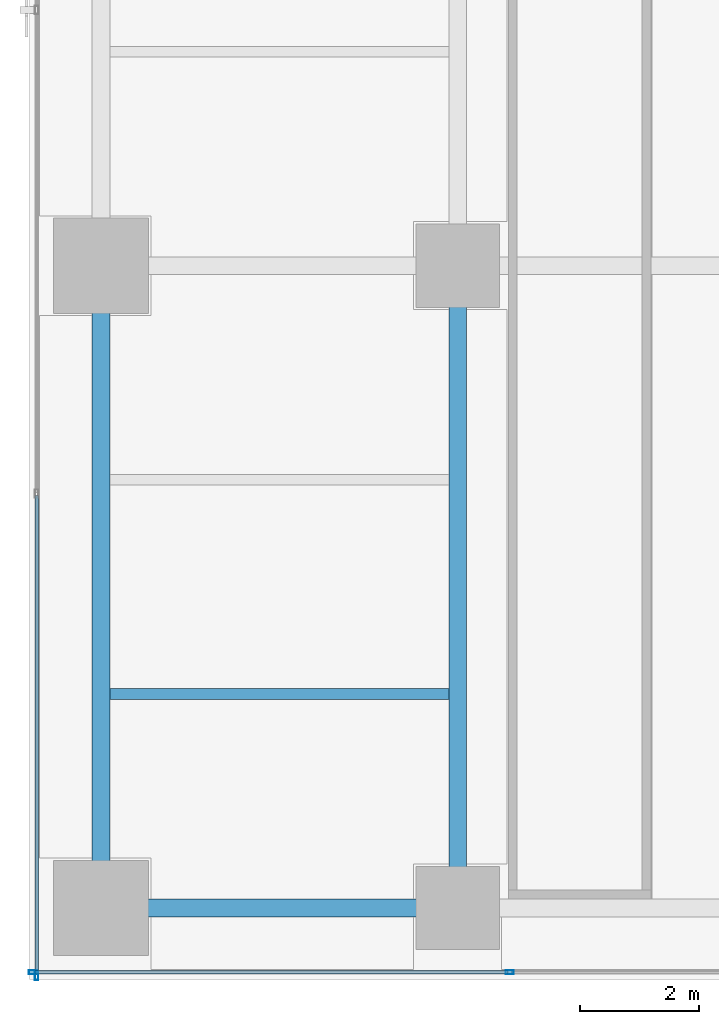
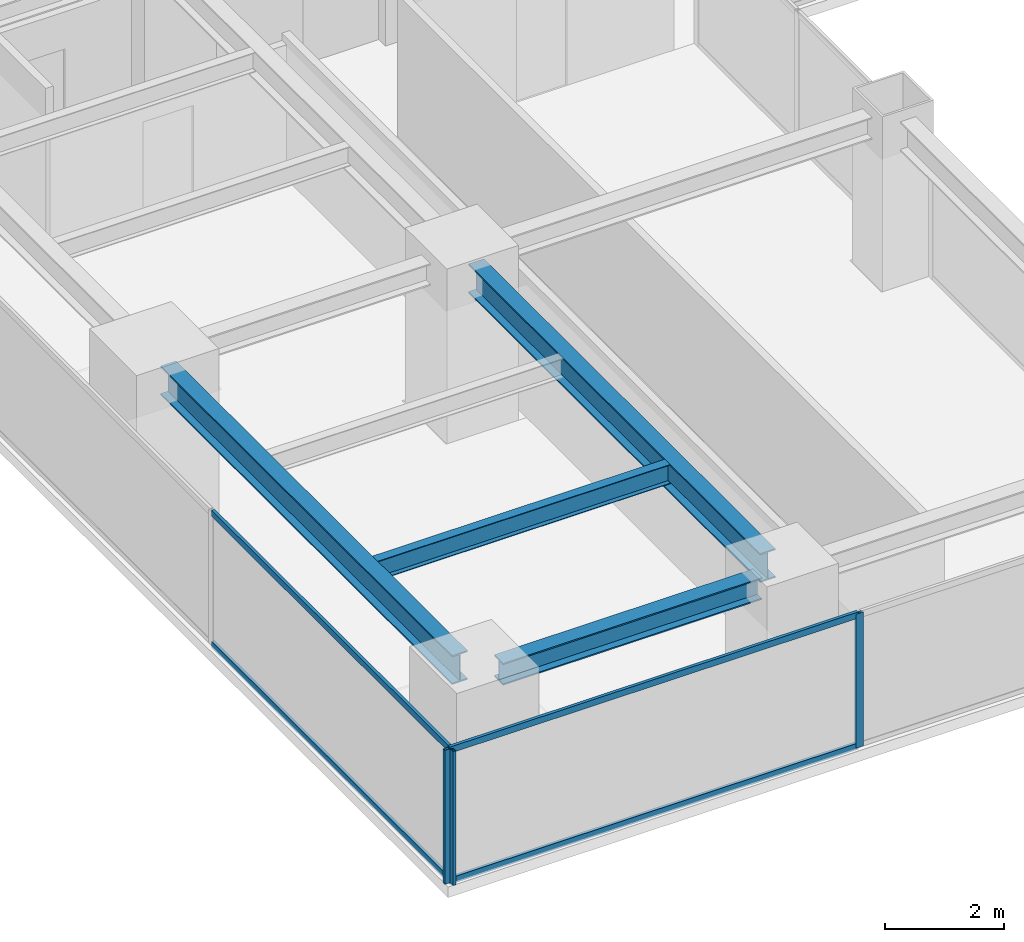
# One storey, part 2 of 28: 7 members, 4 beams, 2 elements without a shape of their own.
"""IFC4 building model written with IfcOpenShell, lengths in metres."""

from ifc_helpers import new_model, si_unit, direction, frame, origin, origin_2d, place, context, subcontext, project, spatial, hollow_rectangle, i_section, extrude, source, transform, mapped, material, layer, layer_set, material_profile, profile_set, type_object, element, aggregate, save


model = new_model("IFC4")

# Units and contexts
model_context = context("Model", 3, precision=1e-05, world=origin(), true_north=direction((0.0, 1.0)))
body_context = subcontext(model_context, "Body", "Model", "MODEL_VIEW")
ifc_project = project(units=[si_unit("LENGTHUNIT", "METRE"), si_unit("AREAUNIT", "SQUARE_METRE"), si_unit("VOLUMEUNIT", "CUBIC_METRE"), si_unit("PLANEANGLEUNIT", "RADIAN"), si_unit("MASSUNIT", "GRAM", prefix="KILO")], contexts=[model_context])

# Site, building, storey
site_placement = place(None, origin())
site = spatial("IfcSite", under=ifc_project, at=site_placement, CompositionType="ELEMENT")
building_placement = place(site_placement, origin())
building = spatial("IfcBuilding", under=site, at=building_placement, Name="Sumidabori Civic Tower", CompositionType="ELEMENT")
storey_placement = place(building_placement, frame((0.0, 0.0, 210.800048828125)))
storey = spatial("IfcBuildingStorey", under=building, at=storey_placement, Name="L54", CompositionType="ELEMENT", Elevation=210.800048828125)

# Beams
ifc_material_1 = material(Name="Steel SN490", Category="steel")
ifc_material_profile_1 = material_profile(ifc_material_1, i_section(OverallWidth=0.300048828125, OverallDepth=0.60009765625, WebThickness=0.015380859375, FlangeThickness=0.030029296875, at=origin_2d()), Name="HE 600 B")
ifc_profile_set_1 = profile_set([ifc_material_profile_1], Name="Steel SN490")
beam_type_1 = type_object("IfcBeamType", Name="BM-GIRD-600", PredefinedType="BEAM", material=ifc_profile_set_1)
shared_shape_1 = source(origin(), body_context, "Body", "SweptSolid", [
    extrude(i_section(OverallWidth=0.300048828125, OverallDepth=0.60009765625, WebThickness=0.015380859375, FlangeThickness=0.030029296875, at=origin_2d()), origin(), (0.0, 0.0, 1.0), 9.840087890625),
])
for number, where, z_axis, x_axis, name in (
    (1, (-22.800048828125, -10.320068359375, 3.079833984375), (0.0, 1.0, 0.0), (-1.0, 0.0, 0.0), "Primary Girder L54 GY-11"),
    (2, (-16.800048828125, -10.320068359375, 3.079833984375), (0.0, 1.0, 0.0), (-1.0, 0.0, 0.0), "Primary Girder L54 GY-14"),
):
    element("IfcBeam", number, at=place(storey_placement, frame(where, z_axis=z_axis, x_axis=x_axis)), inside=storey, type_object=beam_type_1, Name=name, PredefinedType="BEAM", context=body_context, shape_type="MappedRepresentation", body=[
        mapped(shared_shape_1, transform((0.0, 0.0, 0.0), x_axis=(1.0, 0.0, 0.0), y_axis=(0.0, 1.0, 0.0), z_axis=(0.0, 0.0, 1.0), scale=1.0)),
    ])
ifc_material_profile_2 = material_profile(ifc_material_1, i_section(OverallWidth=0.179931640625, OverallDepth=0.39990234375, WebThickness=0.008544921875, FlangeThickness=0.013427734375, at=origin_2d()), Name="IPE 400")
ifc_profile_set_2 = profile_set([ifc_material_profile_2], Name="Steel SN490")
beam_type_2 = type_object("IfcBeamType", Name="BM-JST-400", PredefinedType="JOIST", material=ifc_profile_set_2)
shared_shape_2 = source(origin(), body_context, "Body", "SweptSolid", [
    extrude(i_section(OverallWidth=0.179931640625, OverallDepth=0.39990234375, WebThickness=0.008544921875, FlangeThickness=0.013427734375, at=origin_2d()), origin(), (0.0, 0.0, 1.0), 5.699951171875),
])
beam_1_placement = place(storey_placement, frame((-22.64990234375, -7.199951171875, 3.179931640625), z_axis=(1.0, 0.0, 0.0), x_axis=(0.0, 1.0, 0.0)))
element("IfcBeam", 3, at=beam_1_placement, inside=storey, type_object=beam_type_2, Name="Outer Bay Floor Joist L54 JSTO-25", PredefinedType="JOIST", context=body_context, shape_type="MappedRepresentation", body=[
    mapped(shared_shape_2, transform((0.0, 0.0, 0.0), x_axis=(1.0, 0.0, 0.0), y_axis=(0.0, 1.0, 0.0), z_axis=(0.0, 0.0, 1.0), scale=1.0)),
])
ifc_material_profile_3 = material_profile(ifc_material_1, i_section(OverallWidth=0.300048828125, OverallDepth=0.449951171875, WebThickness=0.013916015625, FlangeThickness=0.02587890625, at=origin_2d()), Name="HE 450 B")
ifc_profile_set_3 = profile_set([ifc_material_profile_3], Name="Steel SN490")
beam_type_3 = type_object("IfcBeamType", Name="BM-GIRD-450", PredefinedType="BEAM", material=ifc_profile_set_3)
shared_shape_3 = source(origin(), body_context, "Body", "SweptSolid", [
    extrude(i_section(OverallWidth=0.300048828125, OverallDepth=0.449951171875, WebThickness=0.013916015625, FlangeThickness=0.02587890625, at=origin_2d()), origin(), (0.0, 0.0, 1.0), 5.0400390625),
])
beam_2_placement = place(storey_placement, frame((-22.320068359375, -10.800048828125, 3.155029296875), z_axis=(1.0, 0.0, 0.0), x_axis=(0.0, 1.0, 0.0)))
element("IfcBeam", 4, at=beam_2_placement, inside=storey, type_object=beam_type_3, Name="Primary Girder L54 GX-01", PredefinedType="BEAM", context=body_context, shape_type="MappedRepresentation", body=[
    mapped(shared_shape_3, transform((0.0, 0.0, 0.0), x_axis=(1.0, 0.0, 0.0), y_axis=(0.0, 1.0, 0.0), z_axis=(0.0, 0.0, 1.0), scale=1.0)),
])

# Curtain wall, members
ifc_material_2 = material(Name="Anodised Bronze Aluminium AW-6063-T6", Category="aluminium")
ifc_layer = layer(ifc_material_2, 0.179931640625, Name="Anodised Bronze Aluminium AW-6063-T6")
ifc_layer_set = layer_set([ifc_layer], Name="Anodised Bronze Aluminium AW-6063-T6")
curtain_wall_type = type_object("IfcCurtainWallType", Name="CW-SYS-5", PredefinedType="NOTDEFINED", material=ifc_layer_set)
curtain_wall_1_placement = place(storey_placement, origin())
curtain_wall_1 = element("IfcCurtainWall", 5, at=curtain_wall_1_placement, inside=storey, type_object=curtain_wall_type, Name="Curtain Wall CW:L54:R01", PredefinedType="NOTDEFINED")
ifc_material_profile_4 = material_profile(ifc_material_2, hollow_rectangle(XDim=0.06005859375, YDim=0.139892578125, WallThickness=0.0048828125, at=origin_2d()), Name="ALU MULLION 140x60")
ifc_profile_set_4 = profile_set([ifc_material_profile_4], Name="Anodised Bronze Aluminium AW-6063-T6")
member_type_1 = type_object("IfcMemberType", Name="CW-MUL-140", PredefinedType="MULLION", material=ifc_profile_set_4)
shared_shape_4 = source(origin(), body_context, "Body", "SweptSolid", [
    extrude(hollow_rectangle(XDim=0.06005859375, YDim=0.139892578125, WallThickness=0.0048828125, at=origin_2d()), origin(), (0.0, 0.0, 1.0), 2.760009765625),
])
member_1_placement = place(storey_placement, frame((-23.93994140625, -11.8798828125, 0.0), z_axis=(0.0, 0.0, 1.0), x_axis=(0.0, 1.0, 0.0)))
member_1 = element("IfcMember", 6, at=member_1_placement, type_object=member_type_1, Name="CW-5 mullion 1", PredefinedType="MULLION", context=body_context, shape_type="MappedRepresentation", body=[
    mapped(shared_shape_4, transform((0.0, 0.0, 0.0), x_axis=(1.0, 0.0, 0.0), y_axis=(0.0, 1.0, 0.0), z_axis=(0.0, 0.0, 1.0), scale=1.0)),
])
member_2_placement = place(storey_placement, frame((-15.925048828125, -11.8798828125, 0.0), z_axis=(0.0, 0.0, 1.0), x_axis=(0.0, 1.0, 0.0)))
member_2 = element("IfcMember", 7, at=member_2_placement, type_object=member_type_1, Name="CW-5 mullion 2", PredefinedType="MULLION", context=body_context, shape_type="MappedRepresentation", body=[
    mapped(shared_shape_4, transform((0.0, 0.0, 0.0), x_axis=(1.0, 0.0, 0.0), y_axis=(0.0, 1.0, 0.0), z_axis=(0.0, 0.0, 1.0), scale=1.0)),
])

# Curtain wall, member
curtain_wall_2_placement = place(storey_placement, origin())
curtain_wall_2 = element("IfcCurtainWall", 8, at=curtain_wall_2_placement, inside=storey, type_object=curtain_wall_type, Name="Curtain Wall CW:L54:R16", PredefinedType="NOTDEFINED")
member_3_placement = place(storey_placement, frame((-23.8798828125, -11.93994140625, 0.0), z_axis=(0.0, 0.0, 1.0), x_axis=(1.0, 0.0, 0.0)))
member_3 = element("IfcMember", 9, at=member_3_placement, type_object=member_type_1, Name="CW-5 mullion 5", PredefinedType="MULLION", context=body_context, shape_type="MappedRepresentation", body=[
    mapped(shared_shape_4, transform((0.0, 0.0, 0.0), x_axis=(1.0, 0.0, 0.0), y_axis=(0.0, 1.0, 0.0), z_axis=(0.0, 0.0, 1.0), scale=1.0)),
])

# Member
ifc_material_profile_5 = material_profile(ifc_material_2, hollow_rectangle(XDim=0.06005859375, YDim=0.1298828125, WallThickness=0.0048828125, at=origin_2d()), Name="ALU TRANSOM 130x60")
ifc_profile_set_5 = profile_set([ifc_material_profile_5], Name="Anodised Bronze Aluminium AW-6063-T6")
member_type_2 = type_object("IfcMemberType", Name="CW-TRN-130", PredefinedType="USERDEFINED", material=ifc_profile_set_5)
shared_shape_5 = source(origin(), body_context, "Body", "SweptSolid", [
    extrude(hollow_rectangle(XDim=0.06005859375, YDim=0.1298828125, WallThickness=0.0048828125, at=origin_2d()), origin(), (0.0, 0.0, 1.0), 7.954833984375),
])
member_4_placement = place(storey_placement, frame((-23.909912109375, -11.8798828125, 0.030029296875), z_axis=(1.0, 0.0, 0.0), x_axis=(0.0, 1.0, 0.0)))
member_4 = element("IfcMember", 10, at=member_4_placement, type_object=member_type_2, Name="CW-5 transom 1.1", ObjectType="TRANSOM", PredefinedType="USERDEFINED", context=body_context, shape_type="MappedRepresentation", body=[
    mapped(shared_shape_5, transform((0.0, 0.0, 0.0), x_axis=(1.0, 0.0, 0.0), y_axis=(0.0, 1.0, 0.0), z_axis=(0.0, 0.0, 1.0), scale=1.0)),
])

member_5_placement = place(storey_placement, frame((-23.909912109375, -11.8798828125, 2.72998046875), z_axis=(1.0, 0.0, 0.0), x_axis=(0.0, 1.0, 0.0)))
member_5 = element("IfcMember", 11, at=member_5_placement, type_object=member_type_2, Name="CW-5 transom 1.2", ObjectType="TRANSOM", PredefinedType="USERDEFINED", context=body_context, shape_type="MappedRepresentation", body=[
    mapped(shared_shape_5, transform((0.0, 0.0, 0.0), x_axis=(1.0, 0.0, 0.0), y_axis=(0.0, 1.0, 0.0), z_axis=(0.0, 0.0, 1.0), scale=1.0)),
])

aggregate(curtain_wall_1, [member_1, member_2, member_4, member_5])

shared_shape_6 = source(origin(), body_context, "Body", "SweptSolid", [
    extrude(hollow_rectangle(XDim=0.06005859375, YDim=0.1298828125, WallThickness=0.0048828125, at=origin_2d()), origin(), (0.0, 0.0, 1.0), 8.044921875),
])
member_6_placement = place(storey_placement, frame((-23.8798828125, -3.864990234375, 0.030029296875), z_axis=(0.0, -1.0, 0.0), x_axis=(1.0, 0.0, 0.0)))
member_6 = element("IfcMember", 12, at=member_6_placement, type_object=member_type_2, Name="CW-5 transom 4.1", ObjectType="TRANSOM", PredefinedType="USERDEFINED", context=body_context, shape_type="MappedRepresentation", body=[
    mapped(shared_shape_6, transform((0.0, 0.0, 0.0), x_axis=(1.0, 0.0, 0.0), y_axis=(0.0, 1.0, 0.0), z_axis=(0.0, 0.0, 1.0), scale=1.0)),
])

member_7_placement = place(storey_placement, frame((-23.8798828125, -3.864990234375, 2.72998046875), z_axis=(0.0, -1.0, 0.0), x_axis=(1.0, 0.0, 0.0)))
member_7 = element("IfcMember", 13, at=member_7_placement, type_object=member_type_2, Name="CW-5 transom 4.2", ObjectType="TRANSOM", PredefinedType="USERDEFINED", context=body_context, shape_type="MappedRepresentation", body=[
    mapped(shared_shape_6, transform((0.0, 0.0, 0.0), x_axis=(1.0, 0.0, 0.0), y_axis=(0.0, 1.0, 0.0), z_axis=(0.0, 0.0, 1.0), scale=1.0)),
])

aggregate(curtain_wall_2, [member_3, member_6, member_7])

save(model, "model.ifc")
